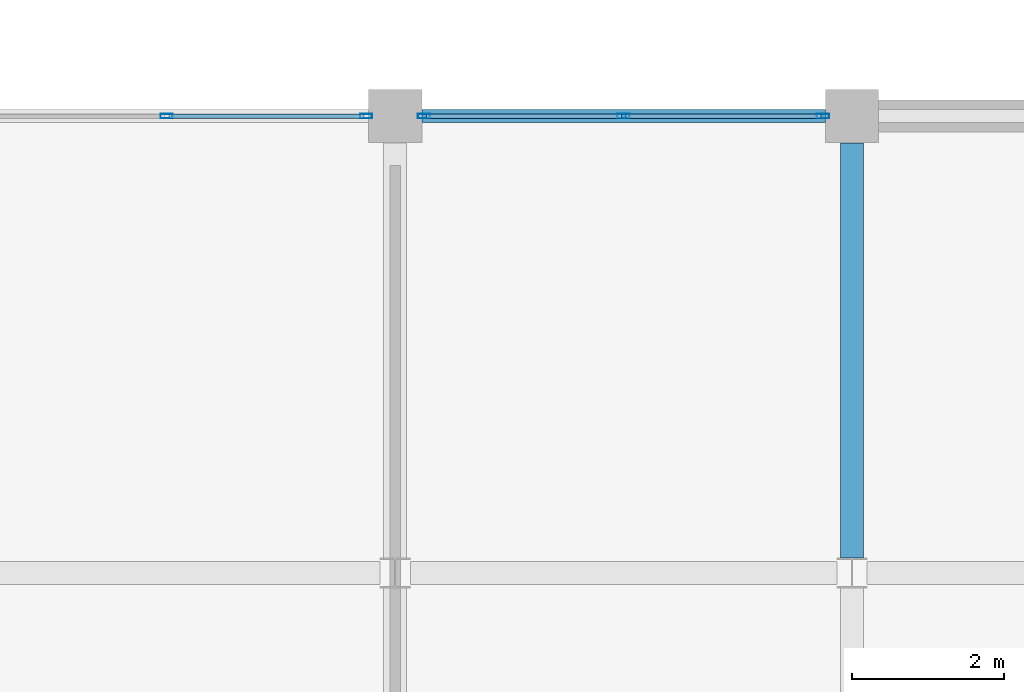
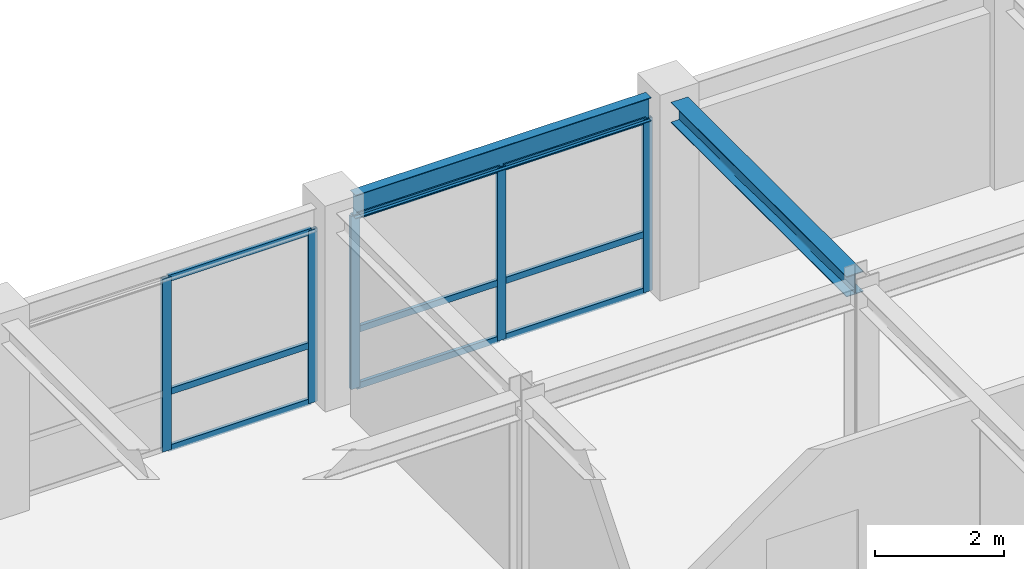
# One storey, part 17 of 25: 14 members, 2 beams, 2 elements without a shape of their own.
"""IFC4 building model written with IfcOpenShell, lengths in metres."""

from ifc_helpers import new_model, si_unit, direction, frame, origin, origin_2d, place, context, subcontext, project, spatial, hollow_rectangle, i_section, extrude, material, layer, layer_set, material_profile, profile_set, type_object, element, aggregate, save


model = new_model("IFC4")

# Units and contexts
model_context = context("Model", 3, precision=1e-05, world=origin(), true_north=direction((0.0, 1.0)))
body_context = subcontext(model_context, "Body", "Model", "MODEL_VIEW")
ifc_project = project(units=[si_unit("LENGTHUNIT", "METRE"), si_unit("AREAUNIT", "SQUARE_METRE"), si_unit("VOLUMEUNIT", "CUBIC_METRE"), si_unit("PLANEANGLEUNIT", "RADIAN"), si_unit("MASSUNIT", "GRAM", prefix="KILO")], contexts=[model_context])

# Site, building, storey
site_placement = place(None, origin())
site = spatial("IfcSite", under=ifc_project, at=site_placement, CompositionType="ELEMENT")
building_placement = place(site_placement, origin())
building = spatial("IfcBuilding", under=site, at=building_placement, Name="Zlatovratsky Civic Hall", CompositionType="ELEMENT")
storey_placement = place(building_placement, frame((0.0, 0.0, 21.0)))
storey = spatial("IfcBuildingStorey", under=building, at=storey_placement, Name="L05", CompositionType="ELEMENT", Elevation=21.0)

# Beams
ifc_material_1 = material(Name="Steel S355", Category="steel")
ifc_material_profile_1 = material_profile(ifc_material_1, i_section(OverallWidth=0.169921875, OverallDepth=0.446044921875, WebThickness=0.007568359375, FlangeThickness=0.010986328125, FilletRadius=0.01611328125, at=origin_2d()), Name="45B1")
ifc_profile_set_1 = profile_set([ifc_material_profile_1], Name="Steel S355")
beam_type_1 = type_object("IfcBeamType", Name="Beam_Spandrel_45B1", PredefinedType="SPANDREL", material=ifc_profile_set_1)
beam_1_placement = place(storey_placement, frame((84.35009765625, 108.0, 3.47705078125), z_axis=(1.0, 0.0, 0.0), x_axis=(0.0, 1.0, 0.0)))
element("IfcBeam", 1, at=beam_1_placement, inside=storey, type_object=beam_type_1, Name="BM-3998", PredefinedType="SPANDREL", context=body_context, shape_type="SweptSolid", body=[
    extrude(i_section(OverallWidth=0.169921875, OverallDepth=0.446044921875, WebThickness=0.007568359375, FlangeThickness=0.010986328125, FilletRadius=0.01611328125, at=origin_2d()), origin(), (0.0, 0.0, 1.0), 5.2998046875),
])
ifc_material_profile_2 = material_profile(ifc_material_1, i_section(OverallWidth=0.300048828125, OverallDepth=0.387939453125, WebThickness=0.009521484375, FlangeThickness=0.013916015625, FilletRadius=0.02197265625, at=origin_2d()), Name="40Sh1")
ifc_profile_set_2 = profile_set([ifc_material_profile_2], Name="Steel S355")
beam_type_2 = type_object("IfcBeamType", Name="Beam_TowerMid_40Sh1", PredefinedType="BEAM", material=ifc_profile_set_2)
beam_2_placement = place(storey_placement, frame((90.0, 102.199951171875, 3.506103515625), z_axis=(0.0, 1.0, 0.0), x_axis=(-1.0, 0.0, 0.0)))
element("IfcBeam", 2, at=beam_2_placement, inside=storey, type_object=beam_type_2, Name="BM-4058", PredefinedType="BEAM", context=body_context, shape_type="SweptSolid", body=[
    extrude(i_section(OverallWidth=0.300048828125, OverallDepth=0.387939453125, WebThickness=0.009521484375, FlangeThickness=0.013916015625, FilletRadius=0.02197265625, at=origin_2d()), origin(), (0.0, 0.0, 1.0), 5.449951171875),
])

# Curtain wall, members
ifc_material_2 = material(Name="Anodised bronze aluminium", Category="aluminium")
ifc_layer = layer(ifc_material_2, 0.159912109375)
ifc_layer_set = layer_set([ifc_layer], Name="Anodised bronze aluminium")
curtain_wall_type = type_object("IfcCurtainWallType", Name="CurtainWall_Bronze_5300x3280_20", PredefinedType="NOTDEFINED", material=ifc_layer_set)
curtain_wall_1_placement = place(storey_placement, origin())
curtain_wall_1 = element("IfcCurtainWall", 3, at=curtain_wall_1_placement, inside=storey, type_object=curtain_wall_type, Name="CW-131", PredefinedType="NOTDEFINED")
ifc_material_profile_3 = material_profile(ifc_material_2, hollow_rectangle(XDim=0.06005859375, YDim=0.159912109375, WallThickness=0.00390625, at=origin_2d()), Name="ALU 60x160x4")
ifc_profile_set_3 = profile_set([ifc_material_profile_3], Name="Anodised bronze aluminium")
member_type_1 = type_object("IfcMemberType", Name="CW_Mullion_60x160", PredefinedType="MULLION", material=ifc_profile_set_3)
member_1_placement = place(storey_placement, frame((81.0, 108.0, 0.0), z_axis=(0.0, 0.0, 1.0), x_axis=(0.0, 1.0, 0.0)))
member_1 = element("IfcMember", 4, at=member_1_placement, type_object=member_type_1, Name="CW-20 mullion 2", PredefinedType="MULLION", context=body_context, shape_type="SweptSolid", body=[
    extrude(hollow_rectangle(XDim=0.06005859375, YDim=0.159912109375, WallThickness=0.00390625, at=origin_2d()), origin(), (0.0, 0.0, 1.0), 3.280029296875),
])
member_2_placement = place(storey_placement, frame((83.6201171875, 108.0, 0.0), z_axis=(0.0, 0.0, 1.0), x_axis=(0.0, 1.0, 0.0)))
member_2 = element("IfcMember", 5, at=member_2_placement, type_object=member_type_1, Name="CW-20 mullion 3", PredefinedType="MULLION", context=body_context, shape_type="SweptSolid", body=[
    extrude(hollow_rectangle(XDim=0.06005859375, YDim=0.159912109375, WallThickness=0.00390625, at=origin_2d()), origin(), (0.0, 0.0, 1.0), 3.280029296875),
])

curtain_wall_2_placement = place(storey_placement, origin())
curtain_wall_2 = element("IfcCurtainWall", 6, at=curtain_wall_2_placement, inside=storey, type_object=curtain_wall_type, Name="CW-132", PredefinedType="NOTDEFINED")
member_3_placement = place(storey_placement, frame((84.3798828125, 108.0, 0.0), z_axis=(0.0, 0.0, 1.0), x_axis=(0.0, 1.0, 0.0)))
member_3 = element("IfcMember", 7, at=member_3_placement, type_object=member_type_1, Name="CW-20 mullion 1", PredefinedType="MULLION", context=body_context, shape_type="SweptSolid", body=[
    extrude(hollow_rectangle(XDim=0.06005859375, YDim=0.159912109375, WallThickness=0.00390625, at=origin_2d()), origin(), (0.0, 0.0, 1.0), 3.280029296875),
])
member_4_placement = place(storey_placement, frame((87.0, 108.0, 0.0), z_axis=(0.0, 0.0, 1.0), x_axis=(0.0, 1.0, 0.0)))
member_4 = element("IfcMember", 8, at=member_4_placement, type_object=member_type_1, Name="CW-20 mullion 2", PredefinedType="MULLION", context=body_context, shape_type="SweptSolid", body=[
    extrude(hollow_rectangle(XDim=0.06005859375, YDim=0.159912109375, WallThickness=0.00390625, at=origin_2d()), origin(), (0.0, 0.0, 1.0), 3.280029296875),
])
member_5_placement = place(storey_placement, frame((89.6201171875, 108.0, 0.0), z_axis=(0.0, 0.0, 1.0), x_axis=(0.0, 1.0, 0.0)))
member_5 = element("IfcMember", 9, at=member_5_placement, type_object=member_type_1, Name="CW-20 mullion 3", PredefinedType="MULLION", context=body_context, shape_type="SweptSolid", body=[
    extrude(hollow_rectangle(XDim=0.06005859375, YDim=0.159912109375, WallThickness=0.00390625, at=origin_2d()), origin(), (0.0, 0.0, 1.0), 3.280029296875),
])

# Member
ifc_material_profile_4 = material_profile(ifc_material_2, hollow_rectangle(XDim=0.06005859375, YDim=0.1201171875, WallThickness=0.00390625, at=origin_2d()), Name="ALU 60x120x4")
ifc_profile_set_4 = profile_set([ifc_material_profile_4], Name="Anodised bronze aluminium")
member_type_2 = type_object("IfcMemberType", Name="CW_Transom_60x120", PredefinedType="USERDEFINED", material=ifc_profile_set_4)
member_6_placement = place(storey_placement, frame((81.030029296875, 108.0, 0.030029296875), z_axis=(1.0, 0.0, 0.0), x_axis=(0.0, 1.0, 0.0)))
member_6 = element("IfcMember", 10, at=member_6_placement, type_object=member_type_2, Name="CW-20 transom 2.1", ObjectType="TRANSOM", PredefinedType="USERDEFINED", context=body_context, shape_type="SweptSolid", body=[
    extrude(hollow_rectangle(XDim=0.06005859375, YDim=0.1201171875, WallThickness=0.00390625, at=origin_2d()), origin(), (0.0, 0.0, 1.0), 2.56005859375),
])

member_7_placement = place(storey_placement, frame((81.030029296875, 108.0, 1.10009765625), z_axis=(1.0, 0.0, 0.0), x_axis=(0.0, 1.0, 0.0)))
member_7 = element("IfcMember", 11, at=member_7_placement, type_object=member_type_2, Name="CW-20 transom 2.2", ObjectType="TRANSOM", PredefinedType="USERDEFINED", context=body_context, shape_type="SweptSolid", body=[
    extrude(hollow_rectangle(XDim=0.06005859375, YDim=0.1201171875, WallThickness=0.00390625, at=origin_2d()), origin(), (0.0, 0.0, 1.0), 2.56005859375),
])

member_8_placement = place(storey_placement, frame((81.030029296875, 108.0, 3.25), z_axis=(1.0, 0.0, 0.0), x_axis=(0.0, 1.0, 0.0)))
member_8 = element("IfcMember", 12, at=member_8_placement, type_object=member_type_2, Name="CW-20 transom 2.3", ObjectType="TRANSOM", PredefinedType="USERDEFINED", context=body_context, shape_type="SweptSolid", body=[
    extrude(hollow_rectangle(XDim=0.06005859375, YDim=0.1201171875, WallThickness=0.00390625, at=origin_2d()), origin(), (0.0, 0.0, 1.0), 2.56005859375),
])

aggregate(curtain_wall_1, [member_1, member_2, member_6, member_7, member_8])

member_9_placement = place(storey_placement, frame((84.409912109375, 108.0, 0.030029296875), z_axis=(1.0, 0.0, 0.0), x_axis=(0.0, 1.0, 0.0)))
member_9 = element("IfcMember", 13, at=member_9_placement, type_object=member_type_2, Name="CW-20 transom 1.1", ObjectType="TRANSOM", PredefinedType="USERDEFINED", context=body_context, shape_type="SweptSolid", body=[
    extrude(hollow_rectangle(XDim=0.06005859375, YDim=0.1201171875, WallThickness=0.00390625, at=origin_2d()), origin(), (0.0, 0.0, 1.0), 2.56005859375),
])

member_10_placement = place(storey_placement, frame((84.409912109375, 108.0, 1.10009765625), z_axis=(1.0, 0.0, 0.0), x_axis=(0.0, 1.0, 0.0)))
member_10 = element("IfcMember", 14, at=member_10_placement, type_object=member_type_2, Name="CW-20 transom 1.2", ObjectType="TRANSOM", PredefinedType="USERDEFINED", context=body_context, shape_type="SweptSolid", body=[
    extrude(hollow_rectangle(XDim=0.06005859375, YDim=0.1201171875, WallThickness=0.00390625, at=origin_2d()), origin(), (0.0, 0.0, 1.0), 2.56005859375),
])

member_11_placement = place(storey_placement, frame((84.409912109375, 108.0, 3.25), z_axis=(1.0, 0.0, 0.0), x_axis=(0.0, 1.0, 0.0)))
member_11 = element("IfcMember", 15, at=member_11_placement, type_object=member_type_2, Name="CW-20 transom 1.3", ObjectType="TRANSOM", PredefinedType="USERDEFINED", context=body_context, shape_type="SweptSolid", body=[
    extrude(hollow_rectangle(XDim=0.06005859375, YDim=0.1201171875, WallThickness=0.00390625, at=origin_2d()), origin(), (0.0, 0.0, 1.0), 2.56005859375),
])

member_12_placement = place(storey_placement, frame((87.030029296875, 108.0, 0.030029296875), z_axis=(1.0, 0.0, 0.0), x_axis=(0.0, 1.0, 0.0)))
member_12 = element("IfcMember", 16, at=member_12_placement, type_object=member_type_2, Name="CW-20 transom 2.1", ObjectType="TRANSOM", PredefinedType="USERDEFINED", context=body_context, shape_type="SweptSolid", body=[
    extrude(hollow_rectangle(XDim=0.06005859375, YDim=0.1201171875, WallThickness=0.00390625, at=origin_2d()), origin(), (0.0, 0.0, 1.0), 2.56005859375),
])

member_13_placement = place(storey_placement, frame((87.030029296875, 108.0, 1.10009765625), z_axis=(1.0, 0.0, 0.0), x_axis=(0.0, 1.0, 0.0)))
member_13 = element("IfcMember", 17, at=member_13_placement, type_object=member_type_2, Name="CW-20 transom 2.2", ObjectType="TRANSOM", PredefinedType="USERDEFINED", context=body_context, shape_type="SweptSolid", body=[
    extrude(hollow_rectangle(XDim=0.06005859375, YDim=0.1201171875, WallThickness=0.00390625, at=origin_2d()), origin(), (0.0, 0.0, 1.0), 2.56005859375),
])

member_14_placement = place(storey_placement, frame((87.030029296875, 108.0, 3.25), z_axis=(1.0, 0.0, 0.0), x_axis=(0.0, 1.0, 0.0)))
member_14 = element("IfcMember", 18, at=member_14_placement, type_object=member_type_2, Name="CW-20 transom 2.3", ObjectType="TRANSOM", PredefinedType="USERDEFINED", context=body_context, shape_type="SweptSolid", body=[
    extrude(hollow_rectangle(XDim=0.06005859375, YDim=0.1201171875, WallThickness=0.00390625, at=origin_2d()), origin(), (0.0, 0.0, 1.0), 2.56005859375),
])

aggregate(curtain_wall_2, [member_3, member_4, member_5, member_9, member_10, member_11, member_12, member_13, member_14])

save(model, "model.ifc")
